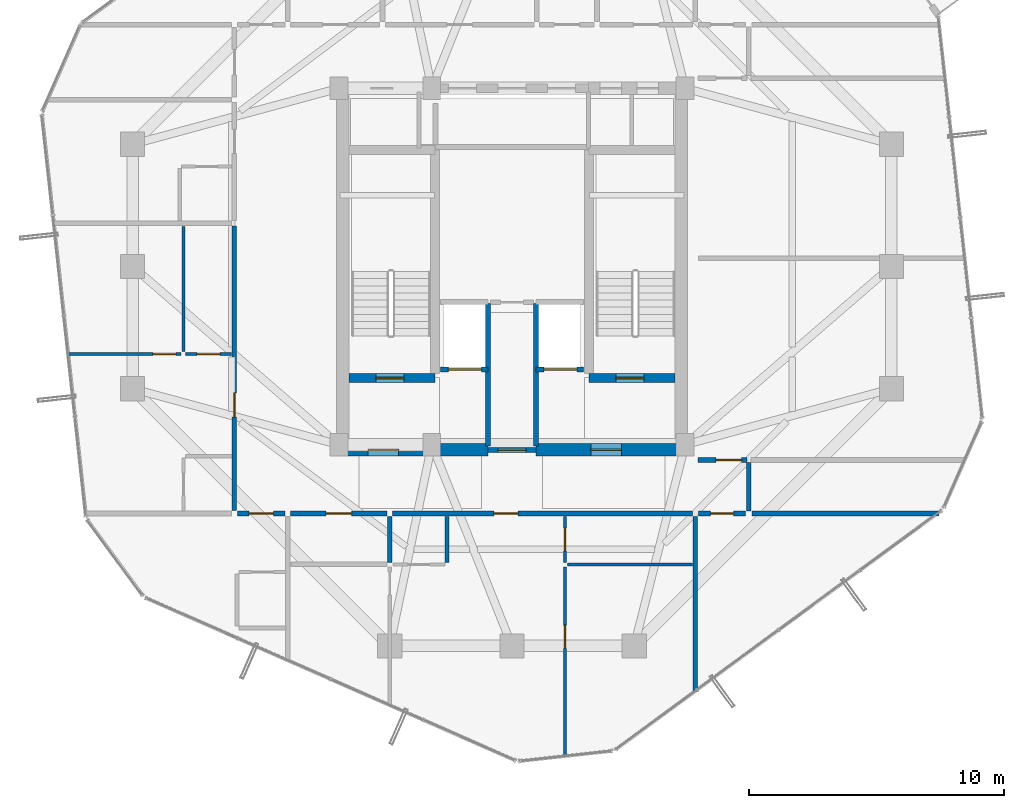
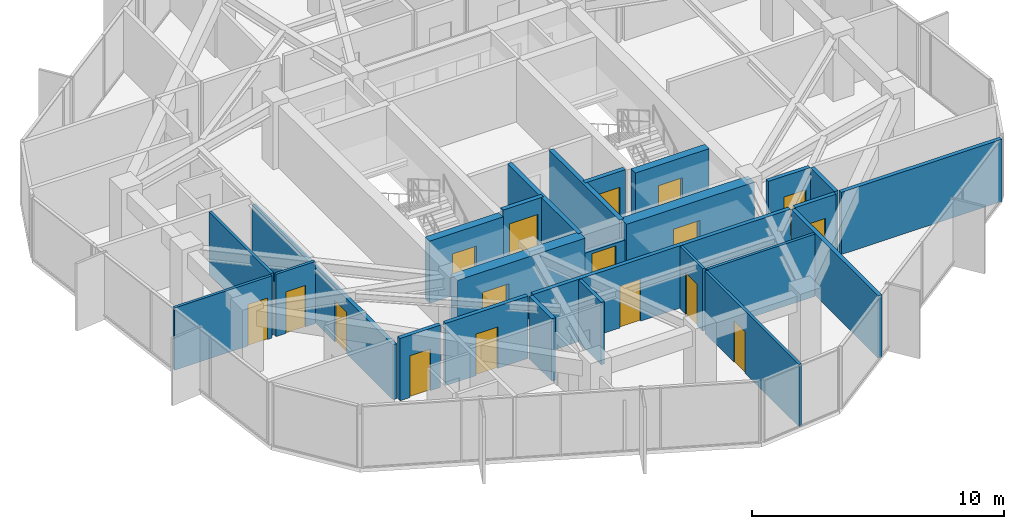
# One storey, part 28 of 32: 26 walls, 17 doors, 17 openings.
"""IFC4 building model written with IfcOpenShell, lengths in metres."""

from ifc_helpers import new_model, si_unit, direction, frame, frame_2d, origin, place, context, subcontext, project, spatial, rectangle, extrude, source, transform, mapped, material, layer, layer_set, type_object, element, fill, save


model = new_model("IFC4")

# Units and contexts
model_context = context("Model", 3, precision=1e-05, world=origin(), true_north=direction((0.0, 1.0)))
body_context = subcontext(model_context, "Body", "Model", "MODEL_VIEW")
ifc_project = project(units=[si_unit("LENGTHUNIT", "METRE"), si_unit("AREAUNIT", "SQUARE_METRE"), si_unit("VOLUMEUNIT", "CUBIC_METRE"), si_unit("PLANEANGLEUNIT", "RADIAN"), si_unit("MASSUNIT", "GRAM", prefix="KILO")], contexts=[model_context])

# Site, building, storey
site_placement = place(None, origin())
site = spatial("IfcSite", under=ifc_project, at=site_placement, CompositionType="ELEMENT")
building_placement = place(site_placement, origin())
building = spatial("IfcBuilding", under=site, at=building_placement, Name="Veraguas Prism Commons", CompositionType="ELEMENT")
storey_placement = place(building_placement, frame((0.0, 0.0, 185.35009765625)))
storey = spatial("IfcBuildingStorey", under=building, at=storey_placement, Name="L52", CompositionType="ELEMENT", Elevation=185.35009765625)

# Wall, opening, door
ifc_material_1 = material(Name="Concrete C50/60", Category="concrete")
ifc_layer_1 = layer(ifc_material_1, 0.35009765625, Name="Core Internal Shear Wall Upper RC 350", Category="concrete")
ifc_layer_set_1 = layer_set([ifc_layer_1], Name="Concrete C50/60")
wall_type_1 = type_object("IfcWallType", Name="Core Internal Shear Wall Upper RC 350", PredefinedType="SHEAR", material=ifc_layer_set_1)
wall_1_placement = place(storey_placement, frame((17.60009765625, 19.625, 0.0), z_axis=(0.0, 0.0, 1.0), x_axis=(1.0, 0.0, 0.0)))
wall_1 = element("IfcWall", 1, at=wall_1_placement, inside=storey, type_object=wall_type_1, Name="Stair ST-01 South Shear Wall L52", PredefinedType="SHEAR", context=body_context, shape_type="SweptSolid", body=[
    extrude(rectangle(XDim=3.375, YDim=0.35009765625, at=frame_2d((1.6875, 0.0))), origin(), (0.0, 0.0, 1.0), 3.014892578125),
])
opening_1_placement = place(wall_1_placement, frame((1.050048828125, 0.0, 0.0)))
opening_1 = element("IfcOpeningElement", 2, at=opening_1_placement, cuts=wall_1, Name="Opening DR-05", PredefinedType="OPENING", context=body_context, shape_type="SweptSolid", body=[
    extrude(rectangle(XDim=1.10009765625, YDim=2.030029296875, at=frame_2d((0.550048828125, 1.01513671875))), frame((0.0, 0.18505859375, 0.0), z_axis=(0.0, -1.0, 0.0), x_axis=(1.0, 0.0, 0.0)), (0.0, 0.0, 1.0), 0.3701171875),
])
ifc_material_2 = material(Name="Steel fire-rated door assembly", Category="steel")
door_type_1 = type_object("IfcDoorType", Name="Protected Stair and Refuge Fire Door 1100x2030", OperationType="NOTDEFINED", PredefinedType="DOOR", material=ifc_material_2)
shared_shape_1 = source(origin(), body_context, "Body", "SweptSolid", [
    extrude(rectangle(XDim=1.10009765625, YDim=2.030029296875, at=frame_2d((0.550048828125, 1.01513671875))), frame((0.0, 0.02490234375, 0.0), z_axis=(0.0, -1.0, 0.0), x_axis=(1.0, 0.0, 0.0)), (0.0, 0.0, 1.0), 0.050048828125),
])
door_1_placement = place(opening_1_placement, origin())
door_1 = element("IfcDoor", 3, at=door_1_placement, inside=storey, type_object=door_type_1, Name="Stair ST-01 Enclosure Door L52", OperationType="SINGLE_SWING_LEFT", OverallHeight=2.030029296875, OverallWidth=1.10009765625, PredefinedType="DOOR", context=body_context, shape_type="MappedRepresentation", body=[
    mapped(shared_shape_1, transform((0.0, 0.0, 0.0), scale=1.0)),
])
fill(opening_1, door_1)

wall_2_placement = place(storey_placement, frame((27.02490234375, 19.625, 0.0), z_axis=(0.0, 0.0, 1.0), x_axis=(1.0, 0.0, 0.0)))
wall_2 = element("IfcWall", 4, at=wall_2_placement, inside=storey, type_object=wall_type_1, Name="Stair ST-02 South Shear Wall L52", PredefinedType="SHEAR", context=body_context, shape_type="SweptSolid", body=[
    extrude(rectangle(XDim=3.375, YDim=0.35009765625, at=frame_2d((1.6875, 0.0))), origin(), (0.0, 0.0, 1.0), 3.014892578125),
])
opening_2_placement = place(wall_2_placement, frame((1.050048828125, 0.0, 0.0)))
opening_2 = element("IfcOpeningElement", 5, at=opening_2_placement, cuts=wall_2, Name="Opening DR-05", PredefinedType="OPENING", context=body_context, shape_type="SweptSolid", body=[
    extrude(rectangle(XDim=1.10009765625, YDim=2.030029296875, at=frame_2d((0.550048828125, 1.01513671875))), frame((0.0, 0.18505859375, 0.0), z_axis=(0.0, -1.0, 0.0), x_axis=(1.0, 0.0, 0.0)), (0.0, 0.0, 1.0), 0.3701171875),
])
door_2_placement = place(opening_2_placement, origin())
door_2 = element("IfcDoor", 6, at=door_2_placement, inside=storey, type_object=door_type_1, Name="Stair ST-02 Enclosure Door L52", OperationType="SINGLE_SWING_RIGHT", OverallHeight=2.030029296875, OverallWidth=1.10009765625, PredefinedType="DOOR", context=body_context, shape_type="MappedRepresentation", body=[
    mapped(shared_shape_1, transform((0.0, 0.0, 0.0), scale=1.0)),
])
fill(opening_2, door_2)

ifc_layer_2 = layer(ifc_material_1, 0.5, Name="Core Outer Shear Wall Upper RC 500", Category="concrete")
ifc_layer_set_2 = layer_set([ifc_layer_2], Name="Concrete C50/60")
wall_type_2 = type_object("IfcWallType", Name="Core Outer Shear Wall Upper RC 500", PredefinedType="SHEAR", material=ifc_layer_set_2)
wall_3_placement = place(storey_placement, frame((17.199951171875, 16.800048828125, 0.0), z_axis=(0.0, 0.0, 1.0), x_axis=(1.0, 0.0, 0.0)))
wall_3 = element("IfcWall", 7, at=wall_3_placement, inside=storey, type_object=wall_type_2, Name="Central Core South-West Shear Wall L52", PredefinedType="SHEAR", context=body_context, shape_type="SweptSolid", body=[
    extrude(rectangle(XDim=5.85009765625, YDim=0.5, at=frame_2d((2.925048828125, 0.0))), origin(), (0.0, 0.0, 1.0), 3.014892578125),
])
opening_3_placement = place(wall_3_placement, frame((1.14990234375, 0.0, 0.0)))
opening_3 = element("IfcOpeningElement", 8, at=opening_3_placement, cuts=wall_3, Name="Opening DR-06", PredefinedType="OPENING", context=body_context, shape_type="SweptSolid", body=[
    extrude(rectangle(XDim=1.199951171875, YDim=2.030029296875, at=frame_2d((0.60009765625, 1.01513671875))), frame((0.0, 0.260009765625, 0.0), z_axis=(0.0, -1.0, 0.0), x_axis=(1.0, 0.0, 0.0)), (0.0, 0.0, 1.0), 0.52001953125),
])
door_type_2 = type_object("IfcDoorType", Name="Firefighting Lobby Smoke Door 1200x2030", OperationType="NOTDEFINED", PredefinedType="DOOR", material=ifc_material_2)
shared_shape_2 = source(origin(), body_context, "Body", "SweptSolid", [
    extrude(rectangle(XDim=1.199951171875, YDim=2.030029296875, at=frame_2d((0.60009765625, 1.01513671875))), frame((0.0, 0.02490234375, 0.0), z_axis=(0.0, -1.0, 0.0), x_axis=(1.0, 0.0, 0.0)), (0.0, 0.0, 1.0), 0.050048828125),
])
door_3_placement = place(opening_3_placement, origin())
door_3 = element("IfcDoor", 9, at=door_3_placement, inside=storey, type_object=door_type_2, Name="West FF Lobby Door L52", OperationType="SINGLE_SWING_LEFT", OverallHeight=2.030029296875, OverallWidth=1.199951171875, PredefinedType="DOOR", context=body_context, shape_type="MappedRepresentation", body=[
    mapped(shared_shape_2, transform((0.0, 0.0, 0.0), scale=1.0)),
])
fill(opening_3, door_3)

wall_4_placement = place(storey_placement, frame((24.949951171875, 16.800048828125, 0.0), z_axis=(0.0, 0.0, 1.0), x_axis=(1.0, 0.0, 0.0)))
wall_4 = element("IfcWall", 10, at=wall_4_placement, inside=storey, type_object=wall_type_2, Name="Central Core South-East Shear Wall L52", PredefinedType="SHEAR", context=body_context, shape_type="SweptSolid", body=[
    extrude(rectangle(XDim=5.85009765625, YDim=0.5, at=frame_2d((2.925048828125, 0.0))), origin(), (0.0, 0.0, 1.0), 3.014892578125),
])
opening_4_placement = place(wall_4_placement, frame((2.14990234375, 0.0, 0.0)))
opening_4 = element("IfcOpeningElement", 11, at=opening_4_placement, cuts=wall_4, Name="Opening DR-06", PredefinedType="OPENING", context=body_context, shape_type="SweptSolid", body=[
    extrude(rectangle(XDim=1.199951171875, YDim=2.030029296875, at=frame_2d((0.60009765625, 1.01513671875))), frame((0.0, 0.260009765625, 0.0), z_axis=(0.0, -1.0, 0.0), x_axis=(1.0, 0.0, 0.0)), (0.0, 0.0, 1.0), 0.52001953125),
])
door_4_placement = place(opening_4_placement, origin())
door_4 = element("IfcDoor", 12, at=door_4_placement, inside=storey, type_object=door_type_2, Name="East FF Lobby Door L52", OperationType="SINGLE_SWING_LEFT", OverallHeight=2.030029296875, OverallWidth=1.199951171875, PredefinedType="DOOR", context=body_context, shape_type="MappedRepresentation", body=[
    mapped(shared_shape_2, transform((0.0, 0.0, 0.0), scale=1.0)),
])
fill(opening_4, door_4)

# Wall
ifc_material_3 = material(Name="Autoclaved aerated masonry block 10 MPa", Category="masonry")
ifc_layer_3 = layer(ifc_material_3, 0.179931640625, Name="Corridor and Inter-Tenancy Partition 180", Category="masonry")
ifc_layer_set_3 = layer_set([ifc_layer_3], Name="Autoclaved aerated masonry block 10 MPa")
wall_type_3 = type_object("IfcWallType", Name="Corridor and Inter-Tenancy Partition 180", PredefinedType="PARTITIONING", material=ifc_layer_set_3)
wall_5_placement = place(storey_placement, frame((31.199951171875, 14.179931640625, 0.0), z_axis=(0.0, 0.0, 1.0), x_axis=(0.0, -1.0, 0.0)))
element("IfcWall", 13, at=wall_5_placement, inside=storey, type_object=wall_type_3, Name="WL-L52-PT002", PredefinedType="PARTITIONING", context=body_context, shape_type="SweptSolid", body=[
    extrude(rectangle(XDim=6.8994140625, YDim=0.179931640625, at=frame_2d((3.44970703125, 0.0))), origin(), (0.0, 0.0, 1.0), 3.014892578125),
])

# Wall, opening, door
wall_6_placement = place(storey_placement, frame((15.31005859375, 14.300048828125, 0.0), z_axis=(0.0, 0.0, 1.0), x_axis=(1.0, 0.0, 0.0)))
wall_6 = element("IfcWall", 14, at=wall_6_placement, inside=storey, type_object=wall_type_3, Name="WL-L52-PT003", PredefinedType="PARTITIONING", context=body_context, shape_type="SweptSolid", body=[
    extrude(rectangle(XDim=3.780029296875, YDim=0.179931640625, at=frame_2d((1.89013671875, 0.0))), origin(), (0.0, 0.0, 1.0), 3.014892578125),
])
opening_5_placement = place(wall_6_placement, frame((1.389892578125, 0.0, 0.0)))
opening_5 = element("IfcOpeningElement", 15, at=opening_5_placement, cuts=wall_6, Name="Opening DR-13", PredefinedType="OPENING", context=body_context, shape_type="SweptSolid", body=[
    extrude(rectangle(XDim=1.0, YDim=2.010009765625, at=frame_2d((0.5, 1.0048828125))), frame((0.0, 0.099853515625, 0.0), z_axis=(0.0, -1.0, 0.0), x_axis=(1.0, 0.0, 0.0)), (0.0, 0.0, 1.0), 0.199951171875),
])
door_type_3 = type_object("IfcDoorType", Name="Core Accessible WC and Clinic Fire Door 1000x2010", OperationType="NOTDEFINED", PredefinedType="DOOR", material=ifc_material_2)
shared_shape_3 = source(origin(), body_context, "Body", "SweptSolid", [
    extrude(rectangle(XDim=1.0, YDim=2.010009765625, at=frame_2d((0.5, 1.0048828125))), frame((0.0, 0.02490234375, 0.0), z_axis=(0.0, -1.0, 0.0), x_axis=(1.0, 0.0, 0.0)), (0.0, 0.0, 1.0), 0.050048828125),
])
door_5_placement = place(opening_5_placement, origin())
door_5 = element("IfcDoor", 16, at=door_5_placement, inside=storey, type_object=door_type_3, Name="Residents Study Alcove 52A Door", OperationType="SINGLE_SWING_RIGHT", OverallHeight=2.010009765625, OverallWidth=1.0, PredefinedType="DOOR", context=body_context, shape_type="MappedRepresentation", body=[
    mapped(shared_shape_3, transform((0.0, 0.0, 0.0), scale=1.0)),
])
fill(opening_5, door_5)

wall_7_placement = place(storey_placement, frame((19.31005859375, 14.300048828125, 0.0), z_axis=(0.0, 0.0, 1.0), x_axis=(1.0, 0.0, 0.0)))
wall_7 = element("IfcWall", 17, at=wall_7_placement, inside=storey, type_object=wall_type_3, Name="WL-L52-PT004", PredefinedType="PARTITIONING", context=body_context, shape_type="SweptSolid", body=[
    extrude(rectangle(XDim=11.780029296875, YDim=0.179931640625, at=frame_2d((5.89013671875, 0.0))), origin(), (0.0, 0.0, 1.0), 3.014892578125),
])
opening_6_placement = place(wall_7_placement, frame((3.97998046875, 0.0, 0.0)))
opening_6 = element("IfcOpeningElement", 18, at=opening_6_placement, cuts=wall_7, Name="Opening DR-01", PredefinedType="OPENING", context=body_context, shape_type="SweptSolid", body=[
    extrude(rectangle(XDim=0.949951171875, YDim=2.02001953125, at=frame_2d((0.47509765625, 1.010009765625))), frame((0.0, 0.099853515625, 0.0), z_axis=(0.0, -1.0, 0.0), x_axis=(1.0, 0.0, 0.0)), (0.0, 0.0, 1.0), 0.199951171875),
])
ifc_material_4 = material(Name="Anodised aluminium EN AW-6063 T6", Category="aluminium")
door_type_4 = type_object("IfcDoorType", Name="Apartment Entrance Fire Door 950x2020", OperationType="NOTDEFINED", PredefinedType="DOOR", material=ifc_material_4)
shared_shape_4 = source(origin(), body_context, "Body", "SweptSolid", [
    extrude(rectangle(XDim=0.949951171875, YDim=2.02001953125, at=frame_2d((0.47509765625, 1.010009765625))), frame((0.0, 0.02490234375, 0.0), z_axis=(0.0, -1.0, 0.0), x_axis=(1.0, 0.0, 0.0)), (0.0, 0.0, 1.0), 0.050048828125),
])
door_6_placement = place(opening_6_placement, origin())
door_6 = element("IfcDoor", 19, at=door_6_placement, inside=storey, type_object=door_type_4, Name="Flat 52A Entrance Door", OperationType="SINGLE_SWING_LEFT", OverallHeight=2.02001953125, OverallWidth=0.949951171875, PredefinedType="DOOR", context=body_context, shape_type="MappedRepresentation", body=[
    mapped(shared_shape_4, transform((0.0, 0.0, 0.0), scale=1.0)),
])
fill(opening_6, door_6)

# Wall
wall_8_placement = place(storey_placement, frame((19.199951171875, 14.179931640625, 0.0), z_axis=(0.0, 0.0, 1.0), x_axis=(0.0, -1.0, 0.0)))
element("IfcWall", 20, at=wall_8_placement, inside=storey, type_object=wall_type_3, Name="WL-L52-PT006", PredefinedType="PARTITIONING", context=body_context, shape_type="SweptSolid", body=[
    extrude(rectangle(XDim=1.800048828125, YDim=0.179931640625, at=frame_2d((0.89990234375, 0.0))), origin(), (0.0, 0.0, 1.0), 3.014892578125),
])

# Wall, opening, door
wall_9_placement = place(storey_placement, frame((13.10009765625, 14.409912109375, 0.0), z_axis=(0.0, 0.0, 1.0), x_axis=(0.0, 1.0, 0.0)))
wall_9 = element("IfcWall", 21, at=wall_9_placement, inside=storey, type_object=wall_type_3, Name="WL-L52-PT024", PredefinedType="PARTITIONING", context=body_context, shape_type="SweptSolid", body=[
    extrude(rectangle(XDim=11.176025390625, YDim=0.179931640625, at=frame_2d((5.587890625, 0.0))), origin(), (0.0, 0.0, 1.0), 2.661865234375),
])
opening_7_placement = place(wall_9_placement, frame((3.674072265625, 0.0, 0.0)))
opening_7 = element("IfcOpeningElement", 22, at=opening_7_placement, cuts=wall_9, Name="Opening DR-01", PredefinedType="OPENING", context=body_context, shape_type="SweptSolid", body=[
    extrude(rectangle(XDim=0.949951171875, YDim=2.02001953125, at=frame_2d((0.47509765625, 1.010009765625))), frame((0.0, 0.099853515625, 0.0), z_axis=(0.0, -1.0, 0.0), x_axis=(1.0, 0.0, 0.0)), (0.0, 0.0, 1.0), 0.199951171875),
])
door_7_placement = place(opening_7_placement, origin())
door_7 = element("IfcDoor", 23, at=door_7_placement, inside=storey, type_object=door_type_4, Name="Flat 52B Entrance Door", OperationType="SINGLE_SWING_RIGHT", OverallHeight=2.02001953125, OverallWidth=0.949951171875, PredefinedType="DOOR", context=body_context, shape_type="MappedRepresentation", body=[
    mapped(shared_shape_4, transform((0.0, 0.0, 0.0), scale=1.0)),
])
fill(opening_7, door_7)

# Wall
wall_10_placement = place(storey_placement, frame((33.300048828125, 14.39990234375, 0.0), z_axis=(0.0, 0.0, 1.0), x_axis=(0.0, 1.0, 0.0)))
element("IfcWall", 24, at=wall_10_placement, inside=storey, type_object=wall_type_3, Name="WL-L52-PT037", PredefinedType="PARTITIONING", context=body_context, shape_type="SweptSolid", body=[
    extrude(rectangle(XDim=1.900146484375, YDim=0.179931640625, at=frame_2d((0.9501953125, 0.0))), origin(), (0.0, 0.0, 1.0), 3.014892578125),
])

# Wall, opening, door
wall_11_placement = place(storey_placement, frame((31.300048828125, 16.39990234375, 0.0), z_axis=(0.0, 0.0, 1.0), x_axis=(1.0, 0.0, 0.0)))
wall_11 = element("IfcWall", 25, at=wall_11_placement, inside=storey, type_object=wall_type_3, Name="WL-L52-PT039", PredefinedType="PARTITIONING", context=body_context, shape_type="SweptSolid", body=[
    extrude(rectangle(XDim=1.919921875, YDim=0.179931640625, at=frame_2d((0.9599609375, 0.0))), origin(), (0.0, 0.0, 1.0), 3.014892578125),
])
opening_8_placement = place(wall_11_placement, frame((0.719970703125, 0.0, 0.0)))
opening_8 = element("IfcOpeningElement", 26, at=opening_8_placement, cuts=wall_11, Name="Opening DR-13", PredefinedType="OPENING", context=body_context, shape_type="SweptSolid", body=[
    extrude(rectangle(XDim=1.0, YDim=2.010009765625, at=frame_2d((0.5, 1.0048828125))), frame((0.0, 0.099853515625, 0.0), z_axis=(0.0, -1.0, 0.0), x_axis=(1.0, 0.0, 0.0)), (0.0, 0.0, 1.0), 0.199951171875),
])
door_8_placement = place(opening_8_placement, origin())
door_8 = element("IfcDoor", 27, at=door_8_placement, inside=storey, type_object=door_type_3, Name="Panorama Lounge Door L52", OperationType="SINGLE_SWING_LEFT", OverallHeight=2.010009765625, OverallWidth=1.0, PredefinedType="DOOR", context=body_context, shape_type="MappedRepresentation", body=[
    mapped(shared_shape_3, transform((0.0, 0.0, 0.0), scale=1.0)),
])
fill(opening_8, door_8)

wall_12_placement = place(storey_placement, frame((13.219970703125, 14.300048828125, 0.0), z_axis=(0.0, 0.0, 1.0), x_axis=(1.0, 0.0, 0.0)))
wall_12 = element("IfcWall", 28, at=wall_12_placement, inside=storey, type_object=wall_type_3, Name="WL-L52-PT043", PredefinedType="PARTITIONING", context=body_context, shape_type="SweptSolid", body=[
    extrude(rectangle(XDim=1.860107421875, YDim=0.179931640625, at=frame_2d((0.93017578125, 0.0))), origin(), (0.0, 0.0, 1.0), 3.014892578125),
])
opening_9_placement = place(wall_12_placement, frame((0.455078125, 0.0, 0.0)))
opening_9 = element("IfcOpeningElement", 29, at=opening_9_placement, cuts=wall_12, Name="Opening DR-01", PredefinedType="OPENING", context=body_context, shape_type="SweptSolid", body=[
    extrude(rectangle(XDim=0.949951171875, YDim=2.02001953125, at=frame_2d((0.47509765625, 1.010009765625))), frame((0.0, 0.099853515625, 0.0), z_axis=(0.0, -1.0, 0.0), x_axis=(1.0, 0.0, 0.0)), (0.0, 0.0, 1.0), 0.199951171875),
])
door_9_placement = place(opening_9_placement, origin())
door_9 = element("IfcDoor", 30, at=door_9_placement, inside=storey, type_object=door_type_4, Name="Studio 52D Entrance Door", OperationType="SINGLE_SWING_LEFT", OverallHeight=2.02001953125, OverallWidth=0.949951171875, PredefinedType="DOOR", context=body_context, shape_type="MappedRepresentation", body=[
    mapped(shared_shape_4, transform((0.0, 0.0, 0.0), scale=1.0)),
])
fill(opening_9, door_9)

# Wall
wall_13_placement = place(storey_placement, frame((33.419921875, 14.300048828125, 0.0), z_axis=(0.0, 0.0, 1.0), x_axis=(1.0, 0.0, 0.0)))
element("IfcWall", 31, at=wall_13_placement, inside=storey, type_object=wall_type_3, Name="WL-L52-PT047", PredefinedType="PARTITIONING", context=body_context, shape_type="SweptSolid", body=[
    extrude(rectangle(XDim=7.35009765625, YDim=0.179931640625, at=frame_2d((3.675048828125, 0.0))), origin(), (0.0, 0.0, 1.0), 3.014892578125),
])

# Wall, opening, door
wall_14_placement = place(storey_placement, frame((31.320068359375, 14.300048828125, 0.0), z_axis=(0.0, 0.0, 1.0), x_axis=(1.0, 0.0, 0.0)))
wall_14 = element("IfcWall", 32, at=wall_14_placement, inside=storey, type_object=wall_type_3, Name="WL-L52-PT048", PredefinedType="PARTITIONING", context=body_context, shape_type="SweptSolid", body=[
    extrude(rectangle(XDim=1.85986328125, YDim=0.179931640625, at=frame_2d((0.929931640625, 0.0))), origin(), (0.0, 0.0, 1.0), 3.014892578125),
])
opening_10_placement = place(wall_14_placement, frame((0.47998046875, 0.0, 0.0)))
opening_10 = element("IfcOpeningElement", 33, at=opening_10_placement, cuts=wall_14, Name="Opening DR-14", PredefinedType="OPENING", context=body_context, shape_type="SweptSolid", body=[
    extrude(rectangle(XDim=0.89990234375, YDim=2.010009765625, at=frame_2d((0.449951171875, 1.0048828125))), frame((0.0, 0.099853515625, 0.0), z_axis=(0.0, -1.0, 0.0), x_axis=(1.0, 0.0, 0.0)), (0.0, 0.0, 1.0), 0.199951171875),
])
door_type_5 = type_object("IfcDoorType", Name="Core Service Room Fire Door 900x2010", OperationType="NOTDEFINED", PredefinedType="DOOR", material=ifc_material_2)
shared_shape_5 = source(origin(), body_context, "Body", "SweptSolid", [
    extrude(rectangle(XDim=0.89990234375, YDim=2.010009765625, at=frame_2d((0.449951171875, 1.0048828125))), frame((0.0, 0.02490234375, 0.0), z_axis=(0.0, -1.0, 0.0), x_axis=(1.0, 0.0, 0.0)), (0.0, 0.0, 1.0), 0.050048828125),
])
door_10_placement = place(opening_10_placement, origin())
door_10 = element("IfcDoor", 34, at=door_10_placement, inside=storey, type_object=door_type_5, Name="Residents Corner Study Room SE Door", OperationType="SINGLE_SWING_LEFT", OverallHeight=2.010009765625, OverallWidth=0.89990234375, PredefinedType="DOOR", context=body_context, shape_type="MappedRepresentation", body=[
    mapped(shared_shape_5, transform((0.0, 0.0, 0.0), scale=1.0)),
])
fill(opening_10, door_10)

ifc_material_5 = material(Name="Lightweight acoustic gypsum board")
ifc_layer_4 = layer(ifc_material_5, 0.125, Name="Internal Apartment Room Partition 125")
ifc_layer_set_4 = layer_set([ifc_layer_4], Name="Lightweight acoustic gypsum board")
wall_type_4 = type_object("IfcWallType", Name="Internal Apartment Room Partition 125", PredefinedType="PARTITIONING", material=ifc_layer_set_4)
wall_15_placement = place(storey_placement, frame((26.080078125, 14.179931640625, 0.0), z_axis=(0.0, 0.0, 1.0), x_axis=(0.0, -1.0, 0.0)))
wall_15 = element("IfcWall", 35, at=wall_15_placement, inside=storey, type_object=wall_type_4, Name="WL-L52-PT010", PredefinedType="PARTITIONING", context=body_context, shape_type="SweptSolid", body=[
    extrude(rectangle(XDim=1.800048828125, YDim=0.125, at=frame_2d((0.89990234375, 0.0))), origin(), (0.0, 0.0, 1.0), 3.014892578125),
])
opening_11_placement = place(wall_15_placement, frame((0.449951171875, 0.0, 0.0)))
opening_11 = element("IfcOpeningElement", 36, at=opening_11_placement, cuts=wall_15, Name="Opening DR-02", PredefinedType="OPENING", context=body_context, shape_type="SweptSolid", body=[
    extrude(rectangle(XDim=0.89990234375, YDim=2.010009765625, at=frame_2d((0.449951171875, 1.0048828125))), frame((0.0, 0.072509765625, 0.0), z_axis=(0.0, -1.0, 0.0), x_axis=(1.0, 0.0, 0.0)), (0.0, 0.0, 1.0), 0.14501953125),
])
ifc_material_6 = material(Name="Timber solid core hardwood", Category="wood")
door_type_6 = type_object("IfcDoorType", Name="Internal Habitable Room Door 900x2010", OperationType="NOTDEFINED", PredefinedType="DOOR", material=ifc_material_6)
door_11_placement = place(opening_11_placement, origin())
door_11 = element("IfcDoor", 37, at=door_11_placement, inside=storey, type_object=door_type_6, Name="Flat 52A Kitchen Door", OperationType="SINGLE_SWING_RIGHT", OverallHeight=2.010009765625, OverallWidth=0.89990234375, PredefinedType="DOOR", context=body_context, shape_type="MappedRepresentation", body=[
    mapped(shared_shape_5, transform((0.0, 0.0, 0.0), scale=1.0)),
])
fill(opening_11, door_11)

# Wall
wall_16_placement = place(storey_placement, frame((26.179931640625, 12.300048828125, 0.0), z_axis=(0.0, 0.0, 1.0), x_axis=(1.0, 0.0, 0.0)))
element("IfcWall", 38, at=wall_16_placement, inside=storey, type_object=wall_type_4, Name="WL-L52-PT011", PredefinedType="PARTITIONING", context=body_context, shape_type="SweptSolid", body=[
    extrude(rectangle(XDim=4.900146484375, YDim=0.125, at=frame_2d((2.4501953125, 0.0))), origin(), (0.0, 0.0, 1.0), 3.014892578125),
])

# Wall, opening, door
wall_17_placement = place(storey_placement, frame((26.080078125, 12.199951171875, 0.0), z_axis=(0.0, 0.0, 1.0), x_axis=(0.0, -1.0, 0.0)))
wall_17 = element("IfcWall", 39, at=wall_17_placement, inside=storey, type_object=wall_type_4, Name="WL-L52-PT012", PredefinedType="PARTITIONING", context=body_context, shape_type="SweptSolid", body=[
    extrude(rectangle(XDim=7.4609375, YDim=0.125, at=frame_2d((3.73046875, 0.0))), origin(), (0.0, 0.0, 1.0), 3.014892578125),
])
opening_12_placement = place(wall_17_placement, frame((2.294921875, 0.0, 0.0)))
opening_12 = element("IfcOpeningElement", 40, at=opening_12_placement, cuts=wall_17, Name="Opening DR-02", PredefinedType="OPENING", context=body_context, shape_type="SweptSolid", body=[
    extrude(rectangle(XDim=0.89990234375, YDim=2.010009765625, at=frame_2d((0.449951171875, 1.0048828125))), frame((0.0, 0.072509765625, 0.0), z_axis=(0.0, -1.0, 0.0), x_axis=(1.0, 0.0, 0.0)), (0.0, 0.0, 1.0), 0.14501953125),
])
door_12_placement = place(opening_12_placement, origin())
door_12 = element("IfcDoor", 41, at=door_12_placement, inside=storey, type_object=door_type_6, Name="Flat 52A Bedroom 1 Door", OperationType="SINGLE_SWING_LEFT", OverallHeight=2.010009765625, OverallWidth=0.89990234375, PredefinedType="DOOR", context=body_context, shape_type="MappedRepresentation", body=[
    mapped(shared_shape_5, transform((0.0, 0.0, 0.0), scale=1.0)),
])
fill(opening_12, door_12)

wall_18_placement = place(storey_placement, frame((12.97998046875, 20.568115234375, 0.0), z_axis=(0.0, 0.0, 1.0), x_axis=(-1.0, 0.0, 0.0)))
wall_18 = element("IfcWall", 42, at=wall_18_placement, inside=storey, type_object=wall_type_4, Name="WL-L52-PT027", PredefinedType="PARTITIONING", context=body_context, shape_type="SweptSolid", body=[
    extrude(rectangle(XDim=1.800048828125, YDim=0.125, at=frame_2d((0.89990234375, 0.0))), origin(), (0.0, 0.0, 1.0), 3.014892578125),
])
opening_13_placement = place(wall_18_placement, frame((0.449951171875, 0.0, 0.0)))
opening_13 = element("IfcOpeningElement", 43, at=opening_13_placement, cuts=wall_18, Name="Opening DR-02", PredefinedType="OPENING", context=body_context, shape_type="SweptSolid", body=[
    extrude(rectangle(XDim=0.89990234375, YDim=2.010009765625, at=frame_2d((0.449951171875, 1.0048828125))), frame((0.0, 0.072509765625, 0.0), z_axis=(0.0, -1.0, 0.0), x_axis=(1.0, 0.0, 0.0)), (0.0, 0.0, 1.0), 0.14501953125),
])
door_13_placement = place(opening_13_placement, origin())
door_13 = element("IfcDoor", 44, at=door_13_placement, inside=storey, type_object=door_type_6, Name="Flat 52B Kitchen Door", OperationType="SINGLE_SWING_RIGHT", OverallHeight=2.010009765625, OverallWidth=0.89990234375, PredefinedType="DOOR", context=body_context, shape_type="MappedRepresentation", body=[
    mapped(shared_shape_5, transform((0.0, 0.0, 0.0), scale=1.0)),
])
fill(opening_13, door_13)

# Wall
wall_19_placement = place(storey_placement, frame((11.10009765625, 20.66796875, 0.0), z_axis=(0.0, 0.0, 1.0), x_axis=(0.0, 1.0, 0.0)))
element("IfcWall", 45, at=wall_19_placement, inside=storey, type_object=wall_type_4, Name="WL-L52-PT028", PredefinedType="PARTITIONING", context=body_context, shape_type="SweptSolid", body=[
    extrude(rectangle(XDim=4.907958984375, YDim=0.125, at=frame_2d((2.4541015625, 0.0))), origin(), (0.0, 0.0, 1.0), 3.014892578125),
])

# Wall, opening, door
wall_20_placement = place(storey_placement, frame((11.0, 20.568115234375, 0.0), z_axis=(0.0, 0.0, 1.0), x_axis=(-1.0, 0.0, 0.0)))
wall_20 = element("IfcWall", 46, at=wall_20_placement, inside=storey, type_object=wall_type_4, Name="WL-L52-PT029", PredefinedType="PARTITIONING", context=body_context, shape_type="SweptSolid", body=[
    extrude(rectangle(XDim=4.47021484375, YDim=0.125, at=frame_2d((2.235107421875, 0.0))), origin(), (0.0, 0.0, 1.0), 3.014892578125),
])
opening_14_placement = place(wall_20_placement, frame((0.199951171875, 0.0, 0.0)))
opening_14 = element("IfcOpeningElement", 47, at=opening_14_placement, cuts=wall_20, Name="Opening DR-02", PredefinedType="OPENING", context=body_context, shape_type="SweptSolid", body=[
    extrude(rectangle(XDim=0.89990234375, YDim=2.010009765625, at=frame_2d((0.449951171875, 1.0048828125))), frame((0.0, 0.072509765625, 0.0), z_axis=(0.0, -1.0, 0.0), x_axis=(1.0, 0.0, 0.0)), (0.0, 0.0, 1.0), 0.14501953125),
])
door_14_placement = place(opening_14_placement, origin())
door_14 = element("IfcDoor", 48, at=door_14_placement, inside=storey, type_object=door_type_6, Name="Flat 52B Bedroom 1 Door", OperationType="SINGLE_SWING_LEFT", OverallHeight=2.010009765625, OverallWidth=0.89990234375, PredefinedType="DOOR", context=body_context, shape_type="MappedRepresentation", body=[
    mapped(shared_shape_5, transform((0.0, 0.0, 0.0), scale=1.0)),
])
fill(opening_14, door_14)

ifc_layer_5 = layer(ifc_material_3, 0.199951171875, Name="Rated Shaft and Lobby Block Wall 200", Category="masonry")
ifc_layer_set_5 = layer_set([ifc_layer_5], Name="Autoclaved aerated masonry block 10 MPa")
wall_type_5 = type_object("IfcWallType", Name="Rated Shaft and Lobby Block Wall 200", PredefinedType="SOLIDWALL", material=ifc_layer_set_5)
wall_21_placement = place(storey_placement, frame((23.050048828125, 16.800048828125, 0.0), z_axis=(0.0, 0.0, 1.0), x_axis=(1.0, 0.0, 0.0)))
wall_21 = element("IfcWall", 49, at=wall_21_placement, inside=storey, type_object=wall_type_5, Name="Central Core Lobby Entrance Wall L52", PredefinedType="SOLIDWALL", context=body_context, shape_type="SweptSolid", body=[
    extrude(rectangle(XDim=1.89990234375, YDim=0.199951171875, at=frame_2d((0.949951171875, 0.0))), origin(), (0.0, 0.0, 1.0), 2.164794921875),
])
opening_15_placement = place(wall_21_placement, frame((0.39990234375, 0.0, 0.0)))
opening_15 = element("IfcOpeningElement", 50, at=opening_15_placement, cuts=wall_21, Name="Opening DR-05", PredefinedType="OPENING", context=body_context, shape_type="SweptSolid", body=[
    extrude(rectangle(XDim=1.10009765625, YDim=2.030029296875, at=frame_2d((0.550048828125, 1.01513671875))), frame((0.0, 0.10986328125, 0.0), z_axis=(0.0, -1.0, 0.0), x_axis=(1.0, 0.0, 0.0)), (0.0, 0.0, 1.0), 0.219970703125),
])
door_15_placement = place(opening_15_placement, origin())
door_15 = element("IfcDoor", 51, at=door_15_placement, inside=storey, type_object=door_type_1, Name="Central Lobby Door L52", OperationType="SINGLE_SWING_RIGHT", OverallHeight=2.030029296875, OverallWidth=1.10009765625, PredefinedType="DOOR", context=body_context, shape_type="MappedRepresentation", body=[
    mapped(shared_shape_1, transform((0.0, 0.0, 0.0), scale=1.0)),
])
fill(opening_15, door_15)

wall_22_placement = place(storey_placement, frame((21.199951171875, 19.949951171875, 0.0), z_axis=(0.0, 0.0, 1.0), x_axis=(1.0, 0.0, 0.0)))
wall_22 = element("IfcWall", 52, at=wall_22_placement, inside=storey, type_object=wall_type_5, Name="Firefighting Lift FFL-1 Front Wall L52", PredefinedType="SOLIDWALL", context=body_context, shape_type="SweptSolid", body=[
    extrude(rectangle(XDim=1.85009765625, YDim=0.199951171875, at=frame_2d((0.925048828125, 0.0))), origin(), (0.0, 0.0, 1.0), 3.014892578125),
])
opening_16_placement = place(wall_22_placement, frame((0.300048828125, 0.0, 0.0)))
opening_16 = element("IfcOpeningElement", 53, at=opening_16_placement, cuts=wall_22, Name="Opening LD-02", PredefinedType="OPENING", context=body_context, shape_type="SweptSolid", body=[
    extrude(rectangle(XDim=1.300048828125, YDim=2.25, at=frame_2d((0.64990234375, 1.125))), frame((0.0, 0.10986328125, 0.0), z_axis=(0.0, -1.0, 0.0), x_axis=(1.0, 0.0, 0.0)), (0.0, 0.0, 1.0), 0.219970703125),
])
ifc_material_7 = material(Name="Stainless steel AISI 316", Category="steel")
door_type_7 = type_object("IfcDoorType", Name="Firefighting Lift Sliding Landing Door 1300x2250", OperationType="NOTDEFINED", PredefinedType="DOOR", material=ifc_material_7)
shared_shape_6 = source(origin(), body_context, "Body", "SweptSolid", [
    extrude(rectangle(XDim=1.300048828125, YDim=2.25, at=frame_2d((0.64990234375, 1.125))), frame((0.0, 0.02490234375, 0.0), z_axis=(0.0, -1.0, 0.0), x_axis=(1.0, 0.0, 0.0)), (0.0, 0.0, 1.0), 0.050048828125),
])
door_16_placement = place(opening_16_placement, origin())
door_16 = element("IfcDoor", 54, at=door_16_placement, inside=storey, type_object=door_type_7, Name="Firefighting Lift FFL-1 Landing Door L52", OperationType="SLIDING_TO_LEFT", OverallHeight=2.25, OverallWidth=1.300048828125, PredefinedType="DOOR", context=body_context, shape_type="MappedRepresentation", body=[
    mapped(shared_shape_6, transform((0.0, 0.0, 0.0), scale=1.0)),
])
fill(opening_16, door_16)

wall_23_placement = place(storey_placement, frame((24.949951171875, 19.949951171875, 0.0), z_axis=(0.0, 0.0, 1.0), x_axis=(1.0, 0.0, 0.0)))
wall_23 = element("IfcWall", 55, at=wall_23_placement, inside=storey, type_object=wall_type_5, Name="Firefighting Lift FFL-2 Front Wall L52", PredefinedType="SOLIDWALL", context=body_context, shape_type="SweptSolid", body=[
    extrude(rectangle(XDim=1.85009765625, YDim=0.199951171875, at=frame_2d((0.925048828125, 0.0))), origin(), (0.0, 0.0, 1.0), 3.014892578125),
])
opening_17_placement = place(wall_23_placement, frame((0.300048828125, 0.0, 0.0)))
opening_17 = element("IfcOpeningElement", 56, at=opening_17_placement, cuts=wall_23, Name="Opening LD-02", PredefinedType="OPENING", context=body_context, shape_type="SweptSolid", body=[
    extrude(rectangle(XDim=1.300048828125, YDim=2.25, at=frame_2d((0.64990234375, 1.125))), frame((0.0, 0.10986328125, 0.0), z_axis=(0.0, -1.0, 0.0), x_axis=(1.0, 0.0, 0.0)), (0.0, 0.0, 1.0), 0.219970703125),
])
door_17_placement = place(opening_17_placement, origin())
door_17 = element("IfcDoor", 57, at=door_17_placement, inside=storey, type_object=door_type_7, Name="Firefighting Lift FFL-2 Front Wall L52", OperationType="SLIDING_TO_LEFT", OverallHeight=2.25, OverallWidth=1.300048828125, PredefinedType="DOOR", context=body_context, shape_type="MappedRepresentation", body=[
    mapped(shared_shape_6, transform((0.0, 0.0, 0.0), scale=1.0)),
])
fill(opening_17, door_17)

# Walls
for number, where, z_axis, x_axis, name in (
    (58, (23.050048828125, 16.949951171875, 0.0), (0.0, 0.0, 1.0), (0.0, 1.0, 0.0), "West FF Lobby Divider Wall L52"),
    (59, (24.949951171875, 16.949951171875, 0.0), (0.0, 0.0, 1.0), (0.0, 1.0, 0.0), "East FF Lobby Divider Wall L52"),
):
    element("IfcWall", number, at=place(storey_placement, frame(where, z_axis=z_axis, x_axis=x_axis)), inside=storey, type_object=wall_type_5, Name=name, PredefinedType="SOLIDWALL", context=body_context, shape_type="SweptSolid", body=[
        extrude(rectangle(XDim=5.60009765625, YDim=0.199951171875, at=frame_2d((2.800048828125, 0.0))), origin(), (0.0, 0.0, 1.0), 3.014892578125),
    ])
ifc_layer_6 = layer(ifc_material_5, 0.14990234375, Name="Wet Room and Clinic Acoustic Partition 150")
ifc_layer_set_6 = layer_set([ifc_layer_6], Name="Lightweight acoustic gypsum board")
wall_type_6 = type_object("IfcWallType", Name="Wet Room and Clinic Acoustic Partition 150", PredefinedType="PARTITIONING", material=ifc_layer_set_6)
wall_24_placement = place(storey_placement, frame((21.449951171875, 14.179931640625, 0.0), z_axis=(0.0, 0.0, 1.0), x_axis=(0.0, -1.0, 0.0)))
element("IfcWall", 60, at=wall_24_placement, inside=storey, type_object=wall_type_6, Name="WL-L52-PT008", PredefinedType="PARTITIONING", context=body_context, shape_type="SweptSolid", body=[
    extrude(rectangle(XDim=1.800048828125, YDim=0.14990234375, at=frame_2d((0.89990234375, 0.0))), origin(), (0.0, 0.0, 1.0), 3.014892578125),
])

save(model, "model.ifc")
